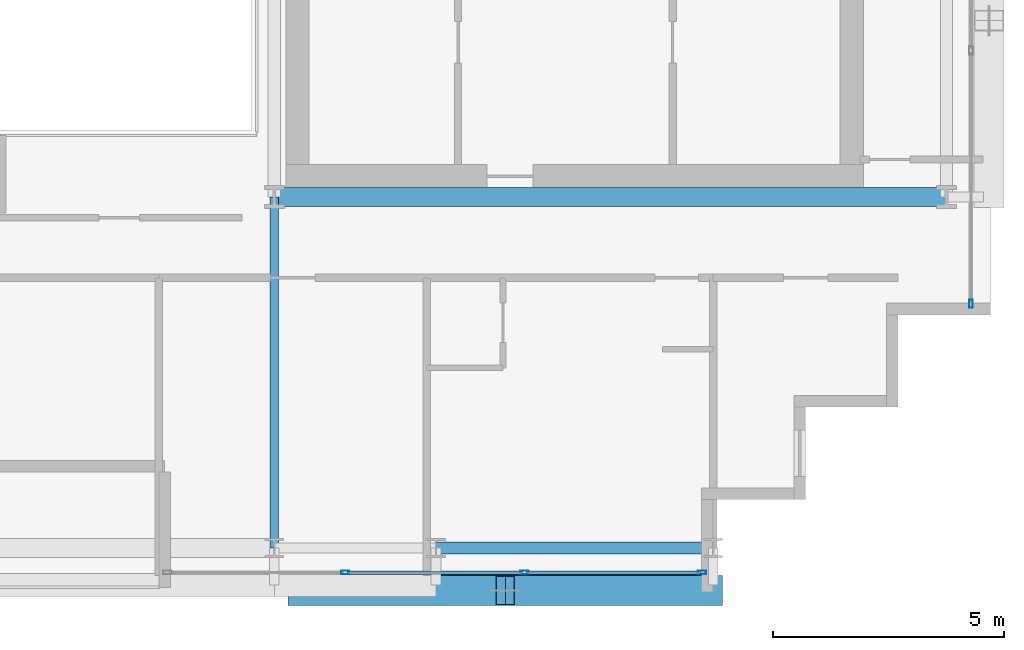
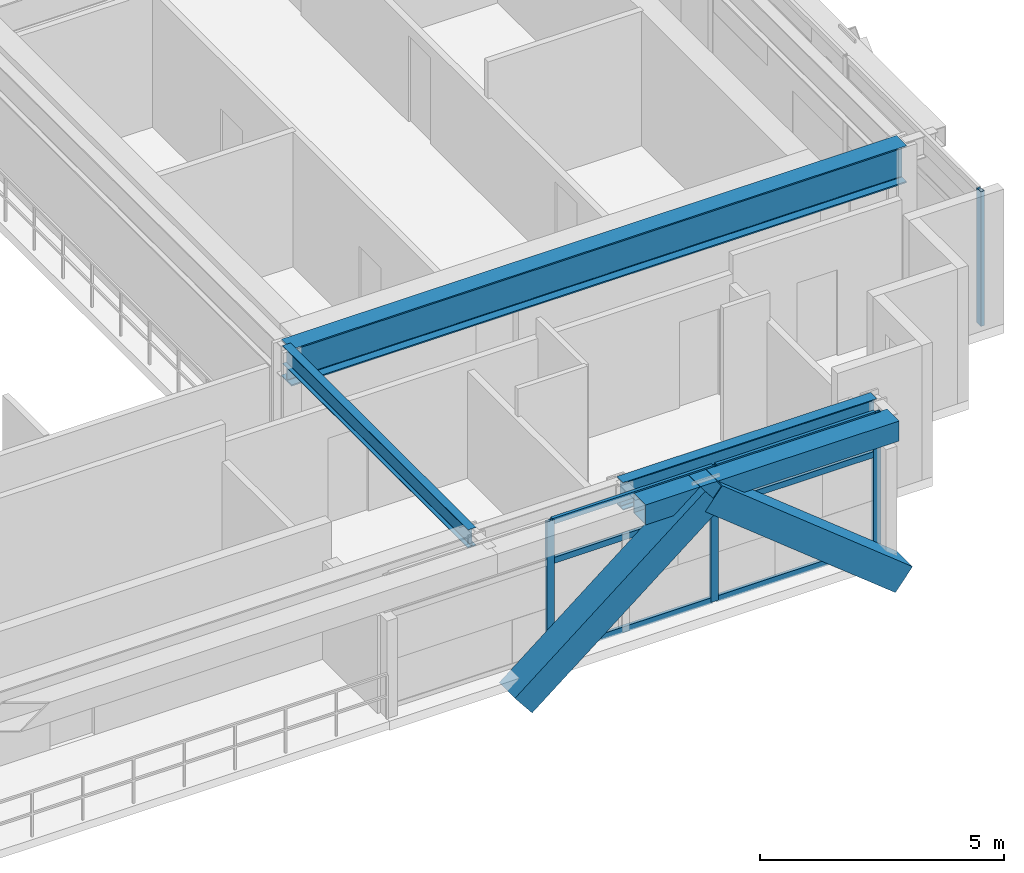
# One storey, part 10 of 31: 12 members, 4 beams, 2 elements without a shape of their own.
"""IFC4 building model written with IfcOpenShell, lengths in metres."""

from ifc_helpers import new_model, si_unit, direction, frame, origin, origin_2d, place, context, subcontext, project, spatial, hollow_rectangle, i_section, extrude, source, transform, mapped, material, layer, layer_set, material_profile, profile_set, type_object, element, aggregate, save


model = new_model("IFC4")

# Units and contexts
model_context = context("Model", 3, precision=1e-05, world=origin(), true_north=direction((0.0, 1.0)))
body_context = subcontext(model_context, "Body", "Model", "MODEL_VIEW")
ifc_project = project(units=[si_unit("LENGTHUNIT", "METRE"), si_unit("AREAUNIT", "SQUARE_METRE"), si_unit("VOLUMEUNIT", "CUBIC_METRE"), si_unit("PLANEANGLEUNIT", "RADIAN"), si_unit("MASSUNIT", "GRAM", prefix="KILO")], contexts=[model_context])

# Site, building, storey
site_placement = place(None, origin())
site = spatial("IfcSite", under=ifc_project, at=site_placement, CompositionType="ELEMENT")
building_placement = place(site_placement, origin())
building = spatial("IfcBuilding", under=site, at=building_placement, Name="Ocotamira Hotel", CompositionType="ELEMENT")
storey_placement = place(building_placement, frame((0.0, 0.0, 188.39990234375)))
storey = spatial("IfcBuildingStorey", under=building, at=storey_placement, Name="L47", CompositionType="ELEMENT", Elevation=188.39990234375)

# Beams
ifc_material_1 = material(Name="Steel ASTM A992 Grade 50", Category="steel")
ifc_material_profile_1 = material_profile(ifc_material_1, i_section(OverallWidth=0.41796875, OverallDepth=0.927001953125, WebThickness=0.019287109375, FlangeThickness=0.031982421875, FilletRadius=0.02392578125, at=origin_2d()), Name="W36X231")
ifc_profile_set_1 = profile_set([ifc_material_profile_1], Name="Steel ASTM A992 Grade 50")
beam_type_1 = type_object("IfcBeamType", Name="BM-GIRD-W36X231", PredefinedType="BEAM", material=ifc_profile_set_1)
shared_shape_1 = source(origin(), body_context, "Body", "SweptSolid", [
    extrude(i_section(OverallWidth=0.41796875, OverallDepth=0.927001953125, WebThickness=0.019287109375, FlangeThickness=0.031982421875, FilletRadius=0.02392578125, at=origin_2d()), origin(), (0.0, 0.0, 1.0), 14.550048828125),
])
beam_1_placement = place(storey_placement, frame((40.5, 14.550048828125, 2.906494140625), z_axis=(1.0, 0.0, 0.0), x_axis=(0.0, 1.0, 0.0)))
element("IfcBeam", 1, at=beam_1_placement, inside=storey, type_object=beam_type_1, Name="L47 Girder Y14.55 X40.5-55.05", PredefinedType="BEAM", context=body_context, shape_type="MappedRepresentation", body=[
    mapped(shared_shape_1, transform((0.0, 0.0, 0.0), scale=1.0)),
])
ifc_material_profile_2 = material_profile(ifc_material_1, i_section(OverallWidth=0.256103515625, OverallDepth=0.693115234375, WebThickness=0.014404296875, FlangeThickness=0.023681640625, FilletRadius=0.01611328125, at=origin_2d()), Name="W27X114")
ifc_profile_set_2 = profile_set([ifc_material_profile_2], Name="Steel ASTM A992 Grade 50")
beam_type_2 = type_object("IfcBeamType", Name="BM-PRIM-W27X114", PredefinedType="BEAM", material=ifc_profile_set_2)
shared_shape_2 = source(origin(), body_context, "Body", "SweptSolid", [
    extrude(i_section(OverallWidth=0.256103515625, OverallDepth=0.693115234375, WebThickness=0.014404296875, FlangeThickness=0.023681640625, FilletRadius=0.01611328125, at=origin_2d()), origin(), (0.0, 0.0, 1.0), 6.0),
])
beam_2_placement = place(storey_placement, frame((44.0, 6.949951171875, 3.023681640625), z_axis=(1.0, 0.0, 0.0), x_axis=(0.0, 1.0, 0.0)))
element("IfcBeam", 2, at=beam_2_placement, inside=storey, type_object=beam_type_2, Name="L47 Girder Y6.95 X44-50", PredefinedType="BEAM", context=body_context, shape_type="MappedRepresentation", body=[
    mapped(shared_shape_2, transform((0.0, 0.0, 0.0), scale=1.0)),
])
ifc_material_2 = material(Name="Steel ASTM A500 Grade C", Category="steel")
ifc_material_profile_3 = material_profile(ifc_material_2, hollow_rectangle(XDim=0.5, YDim=0.5, WallThickness=0.02001953125, at=origin_2d()), Name="HSS500X500X20")
ifc_profile_set_3 = profile_set([ifc_material_profile_3], Name="Steel ASTM A500 Grade C")
beam_type_3 = type_object("IfcBeamType", Name="BM-SPAN-HSS500", PredefinedType="USERDEFINED", material=ifc_profile_set_3)
shared_shape_3 = source(origin(), body_context, "Body", "SweptSolid", [
    extrude(hollow_rectangle(XDim=0.5, YDim=0.5, WallThickness=0.02001953125, at=origin_2d()), origin(), (0.0, 0.0, 1.0), 6.0),
])
beam_3_placement = place(storey_placement, frame((44.0, 6.14990234375, 3.1201171875), z_axis=(1.0, 0.0, 0.0), x_axis=(0.0, 1.0, 0.0)))
element("IfcBeam", 3, at=beam_3_placement, inside=storey, type_object=beam_type_3, Name="L47 Edge Spandrel S X44-50", ObjectType="SPANDREL", PredefinedType="USERDEFINED", context=body_context, shape_type="MappedRepresentation", body=[
    mapped(shared_shape_3, transform((0.0, 0.0, 0.0), scale=1.0)),
])
ifc_material_profile_4 = material_profile(ifc_material_1, i_section(OverallWidth=0.18994140625, OverallDepth=0.45703125, WebThickness=0.009033203125, FlangeThickness=0.014404296875, FilletRadius=0.010009765625, at=origin_2d()), Name="W18X50")
ifc_profile_set_4 = profile_set([ifc_material_profile_4], Name="Steel ASTM A992 Grade 50")
beam_type_4 = type_object("IfcBeamType", Name="BM-SEC-W18X50", PredefinedType="JOIST", material=ifc_profile_set_4)
shared_shape_4 = source(origin(), body_context, "Body", "SweptSolid", [
    extrude(i_section(OverallWidth=0.18994140625, OverallDepth=0.45703125, WebThickness=0.009033203125, FlangeThickness=0.014404296875, FilletRadius=0.010009765625, at=origin_2d()), origin(), (0.0, 0.0, 1.0), 7.60009765625),
])
beam_4_placement = place(storey_placement, frame((40.5, 6.949951171875, 3.1416015625), z_axis=(0.0, 1.0, 0.0), x_axis=(-1.0, 0.0, 0.0)))
element("IfcBeam", 4, at=beam_4_placement, inside=storey, type_object=beam_type_4, Name="L47 Beam X40.5 Y6.95-14.55", PredefinedType="JOIST", context=body_context, shape_type="MappedRepresentation", body=[
    mapped(shared_shape_4, transform((0.0, 0.0, 0.0), scale=1.0)),
])

# Members
ifc_material_3 = material(Name="Pale-metal coated steel ASTM A913 Grade 65", Category="steel")
ifc_material_profile_5 = material_profile(ifc_material_3, hollow_rectangle(XDim=0.64990234375, YDim=0.64990234375, WallThickness=0.02197265625, at=origin_2d()), Name="BOX650X650X22")
ifc_profile_set_5 = profile_set([ifc_material_profile_5], Name="Pale-metal coated steel ASTM A913 Grade 65")
member_type_1 = type_object("IfcMemberType", Name="MEM-EXO-BOX650", PredefinedType="BRACE", material=ifc_profile_set_5)
shared_shape_5 = source(origin(), body_context, "Body", "SweptSolid", [
    extrude(hollow_rectangle(XDim=0.64990234375, YDim=0.64990234375, WallThickness=0.02197265625, at=origin_2d()), origin(), (0.0, 0.0, 1.0), 5.762939453125),
])
for number, where, z_axis, x_axis, name in (
    (5, (41.0, 6.030029296875, -0.47998046875), (0.780860543151, 0.0, 0.624705380279), (0.0, 1.0, 0.0), "L47 Exoskeleton Diagrid S3.1"),
    (6, (50.0, 6.030029296875, -0.47998046875), (-0.780860543151, 0.0, 0.624705380279), (0.0, -1.0, 0.0), "L47 Exoskeleton Diagrid S3.2"),
):
    element("IfcMember", number, at=place(storey_placement, frame(where, z_axis=z_axis, x_axis=x_axis)), inside=storey, type_object=member_type_1, Name=name, PredefinedType="BRACE", context=body_context, shape_type="MappedRepresentation", body=[
        mapped(shared_shape_5, transform((0.0, 0.0, 0.0), scale=1.0)),
    ])

# Curtain wall, members
ifc_material_4 = material(Name="Anodised pale-metal aluminium and solar glass", Category="aluminium")
ifc_layer = layer(ifc_material_4, 0.199951171875)
ifc_layer_set = layer_set([ifc_layer], Name="Anodised pale-metal aluminium and solar glass")
curtain_wall_type = type_object("IfcCurtainWallType", Name="CW-SYS4-Z3", PredefinedType="NOTDEFINED", material=ifc_layer_set)
curtain_wall_1_placement = place(storey_placement, origin())
curtain_wall_1 = element("IfcCurtainWall", 7, at=curtain_wall_1_placement, inside=storey, type_object=curtain_wall_type, Name="L47 Curtain Wall CW-4 CW-L47-S2", PredefinedType="NOTDEFINED")
ifc_material_5 = material(Name="Anodised pale-metal aluminium 6063-T6", Category="aluminium")
ifc_material_profile_6 = material_profile(ifc_material_5, hollow_rectangle(XDim=0.080078125, YDim=0.179931640625, WallThickness=0.006103515625, at=origin_2d()), Name="HSS180X80X6")
ifc_profile_set_6 = profile_set([ifc_material_profile_6], Name="Anodised pale-metal aluminium 6063-T6")
member_type_2 = type_object("IfcMemberType", Name="CWM-180X75", PredefinedType="MULLION", material=ifc_profile_set_6)
shared_shape_6 = source(origin(), body_context, "Body", "SweptSolid", [
    extrude(hollow_rectangle(XDim=0.080078125, YDim=0.179931640625, WallThickness=0.006103515625, at=origin_2d()), origin(), (0.0, 0.0, 1.0), 3.3701171875),
])
member_1_placement = place(storey_placement, frame((42.033447265625, 6.419921875, 0.0), z_axis=(0.0, 0.0, 1.0), x_axis=(0.0, 1.0, 0.0)))
member_1 = element("IfcMember", 8, at=member_1_placement, type_object=member_type_2, Name="CW-4 mullion 2", PredefinedType="MULLION", context=body_context, shape_type="MappedRepresentation", body=[
    mapped(shared_shape_6, transform((0.0, 0.0, 0.0), scale=1.0)),
])
member_2_placement = place(storey_placement, frame((45.916748046875, 6.419921875, 0.0), z_axis=(0.0, 0.0, 1.0), x_axis=(0.0, 1.0, 0.0)))
member_2 = element("IfcMember", 9, at=member_2_placement, type_object=member_type_2, Name="CW-4 mullion 3", PredefinedType="MULLION", context=body_context, shape_type="MappedRepresentation", body=[
    mapped(shared_shape_6, transform((0.0, 0.0, 0.0), scale=1.0)),
])
member_3_placement = place(storey_placement, frame((49.760009765625, 6.419921875, 0.0), z_axis=(0.0, 0.0, 1.0), x_axis=(0.0, 1.0, 0.0)))
member_3 = element("IfcMember", 10, at=member_3_placement, type_object=member_type_2, Name="CW-4 mullion 4", PredefinedType="MULLION", context=body_context, shape_type="MappedRepresentation", body=[
    mapped(shared_shape_6, transform((0.0, 0.0, 0.0), scale=1.0)),
])

# Curtain wall, member
curtain_wall_2_placement = place(storey_placement, origin())
curtain_wall_2 = element("IfcCurtainWall", 11, at=curtain_wall_2_placement, inside=storey, type_object=curtain_wall_type, Name="L47 Curtain Wall CW-4 CW-L47-E", PredefinedType="NOTDEFINED")
member_4_placement = place(storey_placement, frame((55.580078125, 12.239990234375, 0.0), z_axis=(0.0, 0.0, 1.0), x_axis=(-1.0, 0.0, 0.0)))
member_4 = element("IfcMember", 12, at=member_4_placement, type_object=member_type_2, Name="CW-4 mullion 1", PredefinedType="MULLION", context=body_context, shape_type="MappedRepresentation", body=[
    mapped(shared_shape_6, transform((0.0, 0.0, 0.0), scale=1.0)),
])
aggregate(curtain_wall_2, [member_4])

# Member
ifc_material_profile_7 = material_profile(ifc_material_5, hollow_rectangle(XDim=0.074951171875, YDim=0.14990234375, WallThickness=0.006103515625, at=origin_2d()), Name="HSS150X75X6")
ifc_profile_set_7 = profile_set([ifc_material_profile_7], Name="Anodised pale-metal aluminium 6063-T6")
member_type_3 = type_object("IfcMemberType", Name="CWT-150X75", PredefinedType="USERDEFINED", material=ifc_profile_set_7)
shared_shape_7 = source(origin(), body_context, "Body", "SweptSolid", [
    extrude(hollow_rectangle(XDim=0.074951171875, YDim=0.14990234375, WallThickness=0.006103515625, at=origin_2d()), origin(), (0.0, 0.0, 1.0), 3.76318359375),
])
member_5_placement = place(storey_placement, frame((45.956787109375, 6.419921875, 0.03759765625), z_axis=(1.0, 0.0, 0.0), x_axis=(0.0, 1.0, 0.0)))
member_5 = element("IfcMember", 13, at=member_5_placement, type_object=member_type_3, Name="CW-4 transom 3.1", ObjectType="TRANSOM", PredefinedType="USERDEFINED", context=body_context, shape_type="MappedRepresentation", body=[
    mapped(shared_shape_7, transform((0.0, 0.0, 0.0), scale=1.0)),
])

member_6_placement = place(storey_placement, frame((45.956787109375, 6.419921875, 2.35009765625), z_axis=(1.0, 0.0, 0.0), x_axis=(0.0, 1.0, 0.0)))
member_6 = element("IfcMember", 14, at=member_6_placement, type_object=member_type_3, Name="CW-4 transom 3.2", ObjectType="TRANSOM", PredefinedType="USERDEFINED", context=body_context, shape_type="MappedRepresentation", body=[
    mapped(shared_shape_7, transform((0.0, 0.0, 0.0), scale=1.0)),
])

member_7_placement = place(storey_placement, frame((45.956787109375, 6.419921875, 3.33251953125), z_axis=(1.0, 0.0, 0.0), x_axis=(0.0, 1.0, 0.0)))
member_7 = element("IfcMember", 15, at=member_7_placement, type_object=member_type_3, Name="CW-4 transom 3.3", ObjectType="TRANSOM", PredefinedType="USERDEFINED", context=body_context, shape_type="MappedRepresentation", body=[
    mapped(shared_shape_7, transform((0.0, 0.0, 0.0), scale=1.0)),
])

shared_shape_8 = source(origin(), body_context, "Body", "SweptSolid", [
    extrude(hollow_rectangle(XDim=0.074951171875, YDim=0.14990234375, WallThickness=0.006103515625, at=origin_2d()), origin(), (0.0, 0.0, 1.0), 3.803466796875),
])
member_8_placement = place(storey_placement, frame((42.0732421875, 6.419921875, 0.03759765625), z_axis=(1.0, 0.0, 0.0), x_axis=(0.0, 1.0, 0.0)))
member_8 = element("IfcMember", 16, at=member_8_placement, type_object=member_type_3, Name="CW-4 transom 2.1", ObjectType="TRANSOM", PredefinedType="USERDEFINED", context=body_context, shape_type="MappedRepresentation", body=[
    mapped(shared_shape_8, transform((0.0, 0.0, 0.0), scale=1.0)),
])

member_9_placement = place(storey_placement, frame((42.0732421875, 6.419921875, 2.35009765625), z_axis=(1.0, 0.0, 0.0), x_axis=(0.0, 1.0, 0.0)))
member_9 = element("IfcMember", 17, at=member_9_placement, type_object=member_type_3, Name="CW-4 transom 2.2", ObjectType="TRANSOM", PredefinedType="USERDEFINED", context=body_context, shape_type="MappedRepresentation", body=[
    mapped(shared_shape_8, transform((0.0, 0.0, 0.0), scale=1.0)),
])

member_10_placement = place(storey_placement, frame((42.0732421875, 6.419921875, 3.33251953125), z_axis=(1.0, 0.0, 0.0), x_axis=(0.0, 1.0, 0.0)))
member_10 = element("IfcMember", 18, at=member_10_placement, type_object=member_type_3, Name="CW-4 transom 2.3", ObjectType="TRANSOM", PredefinedType="USERDEFINED", context=body_context, shape_type="MappedRepresentation", body=[
    mapped(shared_shape_8, transform((0.0, 0.0, 0.0), scale=1.0)),
])

aggregate(curtain_wall_1, [member_1, member_2, member_3, member_8, member_9, member_10, member_5, member_6, member_7])

save(model, "model.ifc")
